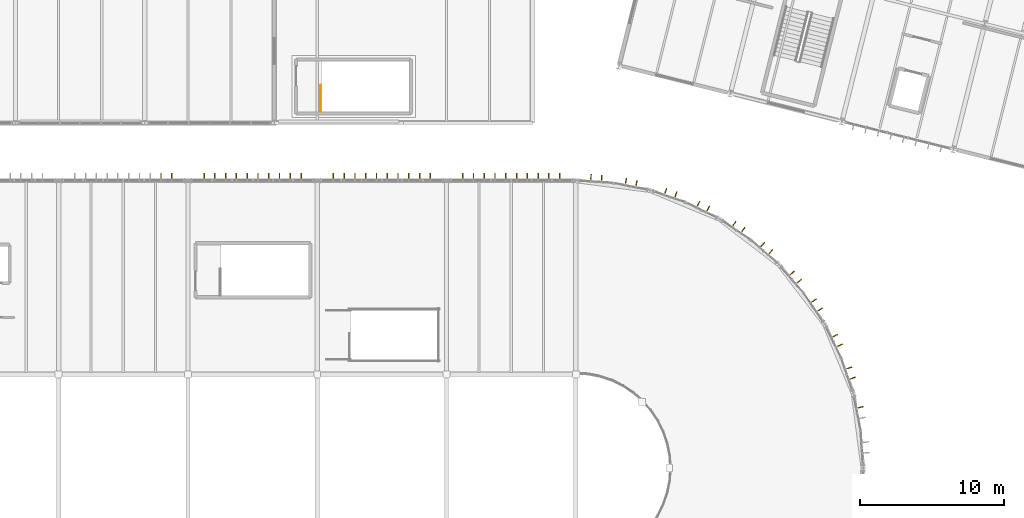
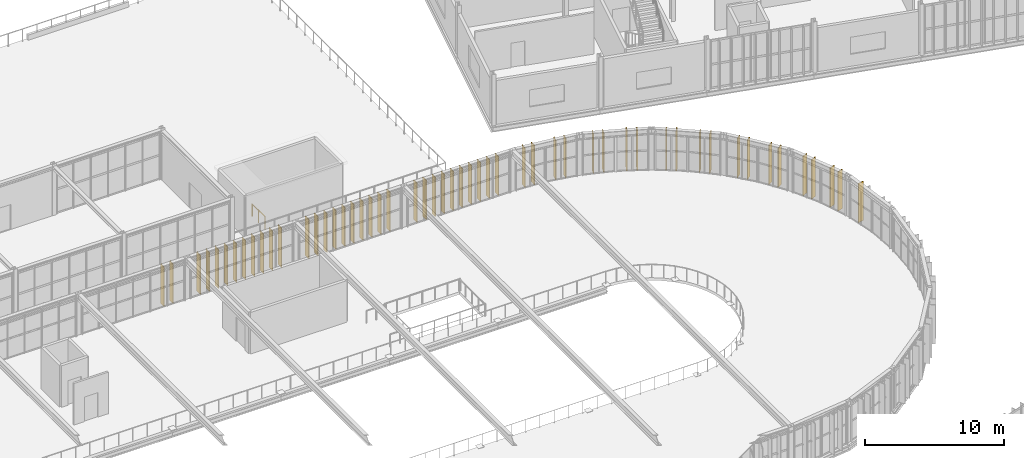
# One storey, part 148 of 152: 53 coverings, 1 railing.
"""IFC4 building model written with IfcOpenShell, lengths in metres."""

from ifc_helpers import new_model, si_unit, derived_unit, direction, frame, origin, origin_2d, place, context, subcontext, project, spatial, rectangle, circle, extrude, material, layer, layer_set, type_object, element, save


model = new_model("IFC4")

# Units and contexts
model_context = context("Model", 3, precision=1e-05, world=origin(), true_north=direction((0.0, 1.0)))
body_context = subcontext(model_context, "Body", "Model", "MODEL_VIEW")
ifc_project = project(units=[si_unit("LENGTHUNIT", "METRE"), si_unit("AREAUNIT", "SQUARE_METRE"), si_unit("VOLUMEUNIT", "CUBIC_METRE"), si_unit("PLANEANGLEUNIT", "RADIAN"), si_unit("MASSUNIT", "GRAM", prefix="KILO"), si_unit("THERMODYNAMICTEMPERATUREUNIT", "KELVIN"), si_unit("TIMEUNIT", "SECOND"), derived_unit("THERMALTRANSMITTANCEUNIT", [(si_unit("MASSUNIT", "GRAM", prefix="KILO"), 1), (si_unit("THERMODYNAMICTEMPERATUREUNIT", "KELVIN"), -1), (si_unit("TIMEUNIT", "SECOND"), -3)])], contexts=[model_context])

# Site, building, storey
site_placement = place(None, origin())
site = spatial("IfcSite", under=ifc_project, at=site_placement, CompositionType="ELEMENT")
building_placement = place(site_placement, origin())
building = spatial("IfcBuilding", under=site, at=building_placement, Name="Cambertide Market Hall", CompositionType="ELEMENT")
storey_placement = place(building_placement, frame((0.0, 0.0, 5.39990234375)))
storey = spatial("IfcBuildingStorey", under=building, at=storey_placement, Name="L02", CompositionType="ELEMENT", Elevation=5.39990234375)

# Railing
ifc_material_1 = material(Name="Stainless Steel Grade 316", Category="metal")
railing_type = type_object("IfcRailingType", Name="Stairwell Inner Guardrail 1100", PredefinedType="GUARDRAIL", material=ifc_material_1)
railing_placement = place(storey_placement, frame((87.25, 96.800048828125, 0.0)))
element("IfcRailing", 1, at=railing_placement, inside=storey, type_object=railing_type, Name="Level 2 ST-04 top well guard 1", PredefinedType="GUARDRAIL", context=body_context, shape_type="SweptSolid", body=[
    extrude(circle(Radius=0.02392578125, at=origin_2d()), frame((0.0, 0.0, 1.076171875), z_axis=(0.0, 1.0, 0.0), x_axis=(-1.0, 0.0, 0.0)), (0.0, 0.0, 1.0), 1.849853515625),
    extrude(circle(Radius=0.02099609375, at=origin_2d()), origin(), (0.0, 0.0, 1.0), 1.052001953125),
    extrude(circle(Radius=0.02099609375, at=origin_2d()), frame((0.0, 0.9248046875, 0.0)), (0.0, 0.0, 1.0), 1.052001953125),
    extrude(circle(Radius=0.02099609375, at=origin_2d()), frame((0.0, 1.849853515625, 0.0)), (0.0, 0.0, 1.0), 1.052001953125),
])

# Coverings
ifc_material_2 = material(Name="White Marine Anodized Aluminium 6063-T6 AA25", Category="aluminium")
ifc_layer = layer(ifc_material_2, 0.06005859375, Name="White Anodized Lantern Vertical Fin 480x60")
ifc_layer_set = layer_set([ifc_layer], Name="White Marine Anodized Aluminium 6063-T6 AA25")
covering_type = type_object("IfcCoveringType", Name="White Anodized Lantern Vertical Fin 480x60", PredefinedType="CLADDING", material=ifc_layer_set)
for number, where, z_axis, x_axis, name in (
    (2, (76.125, 92.260009765625, 0.0), (0.0, 0.0, 1.0), (1.0, 0.0, 0.0), "CW-V1N-L02-4 Vertical Fin 9"),
    (3, (76.875, 92.260009765625, 0.0), (0.0, 0.0, 1.0), (1.0, 0.0, 0.0), "CW-V1N-L02-4 Vertical Fin 10"),
    (4, (79.125, 92.260009765625, 0.0), (0.0, 0.0, 1.0), (1.0, 0.0, 0.0), "CW-V1N-L02-5 Vertical Fin 1"),
    (5, (79.875, 92.260009765625, 0.0), (0.0, 0.0, 1.0), (1.0, 0.0, 0.0), "CW-V1N-L02-5 Vertical Fin 2"),
    (6, (80.625, 92.260009765625, 0.0), (0.0, 0.0, 1.0), (1.0, 0.0, 0.0), "CW-V1N-L02-5 Vertical Fin 3"),
    (7, (81.375, 92.260009765625, 0.0), (0.0, 0.0, 1.0), (1.0, 0.0, 0.0), "CW-V1N-L02-5 Vertical Fin 4"),
    (8, (82.125, 92.260009765625, 0.0), (0.0, 0.0, 1.0), (1.0, 0.0, 0.0), "CW-V1N-L02-5 Vertical Fin 5"),
    (9, (82.875, 92.260009765625, 0.0), (0.0, 0.0, 1.0), (1.0, 0.0, 0.0), "CW-V1N-L02-5 Vertical Fin 6"),
    (10, (83.625, 92.260009765625, 0.0), (0.0, 0.0, 1.0), (1.0, 0.0, 0.0), "CW-V1N-L02-5 Vertical Fin 7"),
    (11, (84.375, 92.260009765625, 0.0), (0.0, 0.0, 1.0), (1.0, 0.0, 0.0), "CW-V1N-L02-5 Vertical Fin 8"),
    (12, (85.125, 92.260009765625, 0.0), (0.0, 0.0, 1.0), (1.0, 0.0, 0.0), "CW-V1N-L02-5 Vertical Fin 9"),
    (13, (85.875, 92.260009765625, 0.0), (0.0, 0.0, 1.0), (1.0, 0.0, 0.0), "CW-V1N-L02-5 Vertical Fin 10"),
    (14, (88.125, 92.260009765625, 0.0), (0.0, 0.0, 1.0), (1.0, 0.0, 0.0), "CW-V1N-L02-6 Vertical Fin 1"),
    (15, (88.875, 92.260009765625, 0.0), (0.0, 0.0, 1.0), (1.0, 0.0, 0.0), "CW-V1N-L02-6 Vertical Fin 2"),
    (16, (89.625, 92.260009765625, 0.0), (0.0, 0.0, 1.0), (1.0, 0.0, 0.0), "CW-V1N-L02-6 Vertical Fin 3"),
    (17, (90.375, 92.260009765625, 0.0), (0.0, 0.0, 1.0), (1.0, 0.0, 0.0), "CW-V1N-L02-6 Vertical Fin 4"),
    (18, (91.125, 92.260009765625, 0.0), (0.0, 0.0, 1.0), (1.0, 0.0, 0.0), "CW-V1N-L02-6 Vertical Fin 5"),
    (19, (91.875, 92.260009765625, 0.0), (0.0, 0.0, 1.0), (1.0, 0.0, 0.0), "CW-V1N-L02-6 Vertical Fin 6"),
    (20, (92.625, 92.260009765625, 0.0), (0.0, 0.0, 1.0), (1.0, 0.0, 0.0), "CW-V1N-L02-6 Vertical Fin 7"),
    (21, (93.375, 92.260009765625, 0.0), (0.0, 0.0, 1.0), (1.0, 0.0, 0.0), "CW-V1N-L02-6 Vertical Fin 8"),
    (22, (94.125, 92.260009765625, 0.0), (0.0, 0.0, 1.0), (1.0, 0.0, 0.0), "CW-V1N-L02-6 Vertical Fin 9"),
    (23, (94.875, 92.260009765625, 0.0), (0.0, 0.0, 1.0), (1.0, 0.0, 0.0), "CW-V1N-L02-6 Vertical Fin 10"),
    (24, (97.125, 92.260009765625, 0.0), (0.0, 0.0, 1.0), (1.0, 0.0, 0.0), "CW-V1N-L02-7 Vertical Fin 1"),
    (25, (97.875, 92.260009765625, 0.0), (0.0, 0.0, 1.0), (1.0, 0.0, 0.0), "CW-V1N-L02-7 Vertical Fin 2"),
    (26, (98.625, 92.260009765625, 0.0), (0.0, 0.0, 1.0), (1.0, 0.0, 0.0), "CW-V1N-L02-7 Vertical Fin 3"),
    (27, (99.375, 92.260009765625, 0.0), (0.0, 0.0, 1.0), (1.0, 0.0, 0.0), "CW-V1N-L02-7 Vertical Fin 4"),
    (28, (100.125, 92.260009765625, 0.0), (0.0, 0.0, 1.0), (1.0, 0.0, 0.0), "CW-V1N-L02-7 Vertical Fin 5"),
    (29, (100.875, 92.260009765625, 0.0), (0.0, 0.0, 1.0), (1.0, 0.0, 0.0), "CW-V1N-L02-7 Vertical Fin 6"),
    (30, (101.625, 92.260009765625, 0.0), (0.0, 0.0, 1.0), (1.0, 0.0, 0.0), "CW-V1N-L02-7 Vertical Fin 7"),
    (31, (102.375, 92.260009765625, 0.0), (0.0, 0.0, 1.0), (1.0, 0.0, 0.0), "CW-V1N-L02-7 Vertical Fin 8"),
    (32, (103.125, 92.260009765625, 0.0), (0.0, 0.0, 1.0), (1.0, 0.0, 0.0), "CW-V1N-L02-7 Vertical Fin 9"),
    (33, (103.875, 92.260009765625, 0.0), (0.0, 0.0, 1.0), (1.0, 0.0, 0.0), "CW-V1N-L02-7 Vertical Fin 10"),
    (34, (124.775146484375, 76.2138671875, 0.0), (0.0, 0.0, 1.0), (0.195090068226, -0.980785330885, 0.0), "CW-V1AE-L02-14 Vertical Fin 1"),
    (35, (123.991455078125, 78.948486328125, 0.0), (0.0, 0.0, 1.0), (0.32143947831, -0.94693012508, 0.0), "CW-V1AE-L02-15 Vertical Fin 1"),
    (36, (124.232666015625, 78.23828125, 0.0), (0.0, 0.0, 1.0), (0.32143947831, -0.94693012508, 0.0), "CW-V1AE-L02-15 Vertical Fin 2"),
    (37, (123.010498046875, 81.1884765625, 0.0), (0.0, 0.0, 1.0), (0.442288874522, -0.896872650645, 0.0), "CW-V1AE-L02-16 Vertical Fin 1"),
    (38, (123.34228515625, 80.515869140625, 0.0), (0.0, 0.0, 1.0), (0.442288874522, -0.896872650645, 0.0), "CW-V1AE-L02-16 Vertical Fin 2"),
    (39, (121.546142578125, 83.626953125, 0.0), (0.0, 0.0, 1.0), (0.555570087582, -0.831469709481, 0.0), "CW-V1AE-L02-17 Vertical Fin 1"),
    (40, (121.962646484375, 83.00341796875, 0.0), (0.0, 0.0, 1.0), (0.555570087582, -0.831469709481, 0.0), "CW-V1AE-L02-17 Vertical Fin 2"),
    (41, (120.018798828125, 85.536865234375, 0.0), (0.0, 0.0, 1.0), (0.659345784014, -0.751839834741, 0.0), "CW-V1AE-L02-18 Vertical Fin 1"),
    (42, (120.51318359375, 84.972900390625, 0.0), (0.0, 0.0, 1.0), (0.659345784014, -0.751839834741, 0.0), "CW-V1AE-L02-18 Vertical Fin 2"),
    (43, (117.972900390625, 87.51318359375, 0.0), (0.0, 0.0, 1.0), (0.751839834741, -0.659345784014, 0.0), "CW-V1AE-L02-19 Vertical Fin 1"),
    (44, (118.536865234375, 87.018798828125, 0.0), (0.0, 0.0, 1.0), (0.751839834741, -0.659345784014, 0.0), "CW-V1AE-L02-19 Vertical Fin 2"),
    (45, (116.00341796875, 88.962646484375, 0.0), (0.0, 0.0, 1.0), (0.831469709481, -0.555570087582, 0.0), "CW-V1AE-L02-20 Vertical Fin 1"),
    (46, (116.626953125, 88.546142578125, 0.0), (0.0, 0.0, 1.0), (0.831469709481, -0.555570087582, 0.0), "CW-V1AE-L02-20 Vertical Fin 2"),
    (47, (113.515869140625, 90.34228515625, 0.0), (0.0, 0.0, 1.0), (0.896872650645, -0.442288874522, 0.0), "CW-V1AE-L02-21 Vertical Fin 1"),
    (48, (114.1884765625, 90.010498046875, 0.0), (0.0, 0.0, 1.0), (0.896872650645, -0.442288874522, 0.0), "CW-V1AE-L02-21 Vertical Fin 2"),
    (49, (111.23828125, 91.232666015625, 0.0), (0.0, 0.0, 1.0), (0.94693012508, -0.32143947831, 0.0), "CW-V1AE-L02-22 Vertical Fin 1"),
    (50, (111.948486328125, 90.991455078125, 0.0), (0.0, 0.0, 1.0), (0.94693012508, -0.32143947831, 0.0), "CW-V1AE-L02-22 Vertical Fin 2"),
    (51, (108.478271484375, 91.92138671875, 0.0), (0.0, 0.0, 1.0), (0.980785330885, -0.195090068226, 0.0), "CW-V1AE-L02-23 Vertical Fin 1"),
    (52, (109.2138671875, 91.775146484375, 0.0), (0.0, 0.0, 1.0), (0.980785330885, -0.195090068226, 0.0), "CW-V1AE-L02-23 Vertical Fin 2"),
    (53, (106.0478515625, 92.19189453125, 0.0), (0.0, 0.0, 1.0), (0.997858917819, -0.065403211921, 0.0), "CW-V1AE-L02-24 Vertical Fin 1"),
    (54, (106.796142578125, 92.142822265625, 0.0), (0.0, 0.0, 1.0), (0.997858917819, -0.065403211921, 0.0), "CW-V1AE-L02-24 Vertical Fin 2"),
):
    element("IfcCovering", number, at=place(storey_placement, frame(where, z_axis=z_axis, x_axis=x_axis)), inside=storey, type_object=covering_type, Name=name, PredefinedType="CLADDING", context=body_context, shape_type="SweptSolid", body=[
        extrude(rectangle(XDim=0.06005859375, YDim=0.47998046875, at=origin_2d()), origin(), (0.0, 0.0, 1.0), 3.449951171875),
    ])

save(model, "model.ifc")
